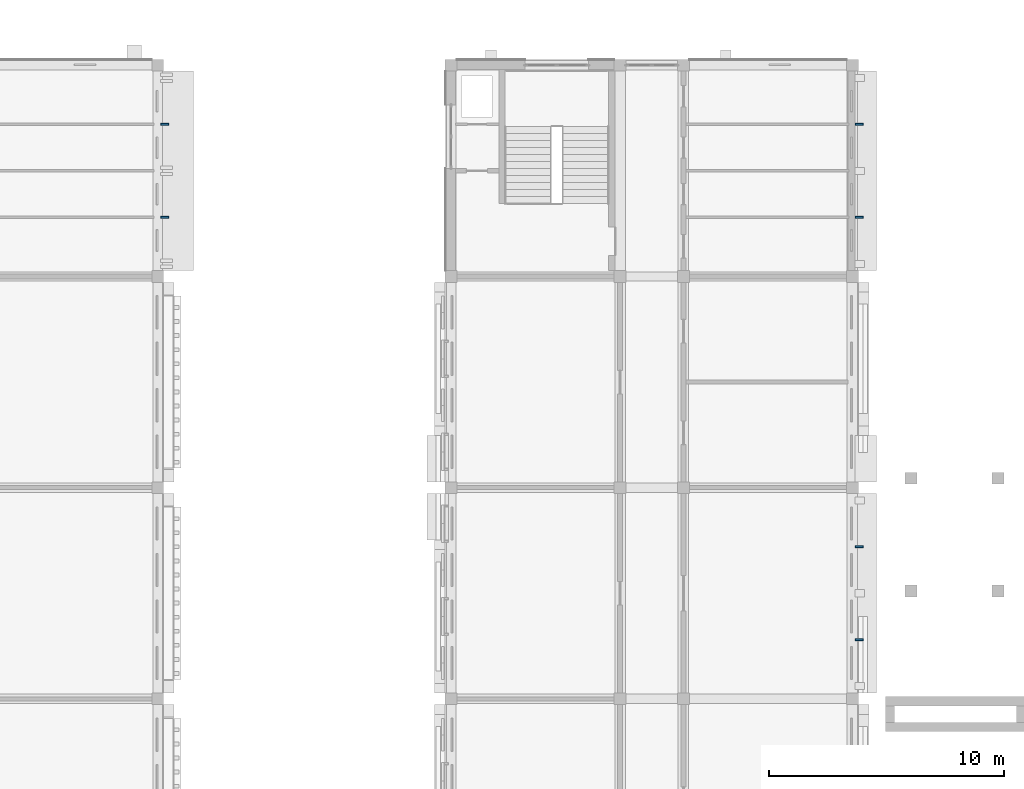
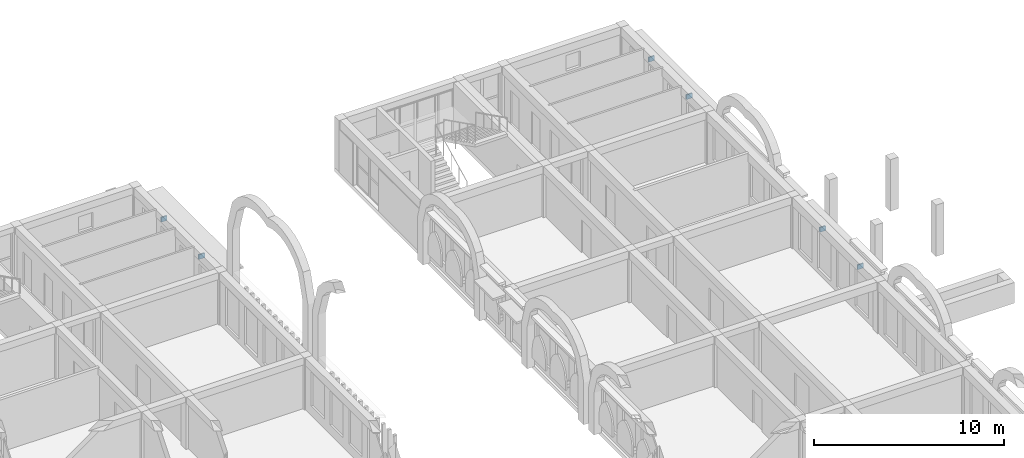
# One storey, part 67 of 82: 6 discrete accessories.
"""IFC4 building model written with IfcOpenShell, lengths in metres."""

from ifc_helpers import new_model, si_unit, direction, frame, origin, origin_2d, place, context, subcontext, project, spatial, rectangle, extrude, material, type_object, element, save


model = new_model("IFC4")

# Units and contexts
model_context = context("Model", 3, precision=1e-05, world=origin(), true_north=direction((0.0, 1.0)))
body_context = subcontext(model_context, "Body", "Model", "MODEL_VIEW")
ifc_project = project(units=[si_unit("LENGTHUNIT", "METRE"), si_unit("AREAUNIT", "SQUARE_METRE"), si_unit("VOLUMEUNIT", "CUBIC_METRE"), si_unit("PLANEANGLEUNIT", "RADIAN"), si_unit("MASSUNIT", "GRAM", prefix="KILO")], contexts=[model_context])

# Site, building, storey
site_placement = place(None, origin())
site = spatial("IfcSite", under=ifc_project, at=site_placement, CompositionType="ELEMENT")
building_placement = place(site_placement, origin())
building = spatial("IfcBuilding", under=site, at=building_placement, Name="Elbe Cascade School", CompositionType="ELEMENT")
storey_placement = place(building_placement, frame((0.0, 0.0, 4.5)))
storey = spatial("IfcBuildingStorey", under=building, at=storey_placement, Name="L01", CompositionType="ELEMENT", Elevation=4.5)

# Discrete accessories
ifc_material = material(Name="Steel S355J2, hot-dip galvanised", Category="steel")
discrete_accessory_type = type_object("IfcDiscreteAccessoryType", Name="Bars envelope Bracket, galvanised steel", PredefinedType="BRACKET", material=ifc_material)
for number, where, z_axis, x_axis, name in (
    (1, (145.594970703125, 53.52001953125, 2.43017578125), (0.0, 0.0, 1.0), (0.0, 1.0, 0.0), "Bracket AC7 eave.e.6.br1"),
    (2, (145.594970703125, 57.47998046875, 2.43017578125), (0.0, 0.0, 1.0), (0.0, 1.0, 0.0), "Bracket AC7 eave.e.6.br2"),
    (3, (175.195068359375, 35.52001953125, 2.330078125), (0.0, 0.0, 1.0), (0.0, 1.0, 0.0), "Bracket AC7 eave.e.4.br1"),
    (4, (175.195068359375, 39.47998046875, 2.330078125), (0.0, 0.0, 1.0), (0.0, 1.0, 0.0), "Bracket AC7 eave.e.4.br2"),
    (5, (175.195068359375, 53.52001953125, 2.330078125), (0.0, 0.0, 1.0), (0.0, 1.0, 0.0), "Bracket AC7 eave.e.6.br1"),
    (6, (175.195068359375, 57.47998046875, 2.330078125), (0.0, 0.0, 1.0), (0.0, 1.0, 0.0), "Bracket AC7 eave.e.6.br2"),
):
    element("IfcDiscreteAccessory", number, at=place(storey_placement, frame(where, z_axis=z_axis, x_axis=x_axis)), inside=storey, type_object=discrete_accessory_type, Name=name, PredefinedType="BRACKET", context=body_context, shape_type="SweptSolid", body=[
        extrude(rectangle(XDim=0.080078125, YDim=0.35009765625, at=origin_2d()), origin(), (0.0, 0.0, 1.0), 0.300048828125),
    ])

save(model, "model.ifc")
